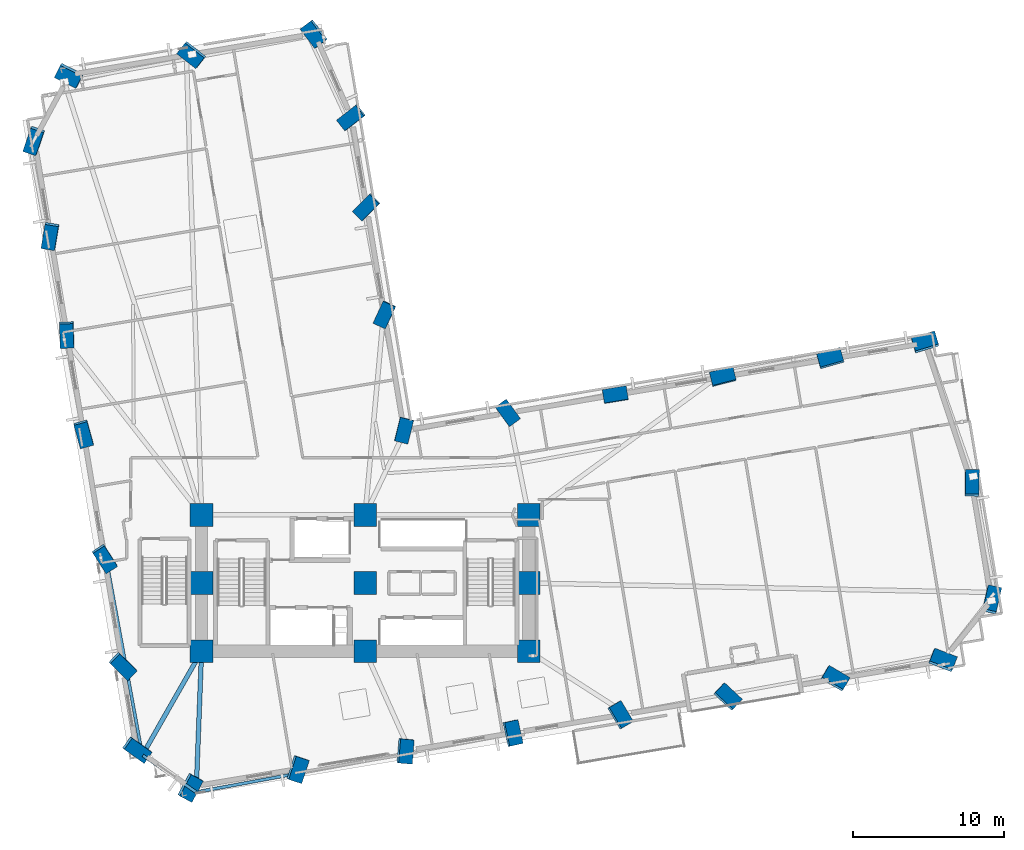
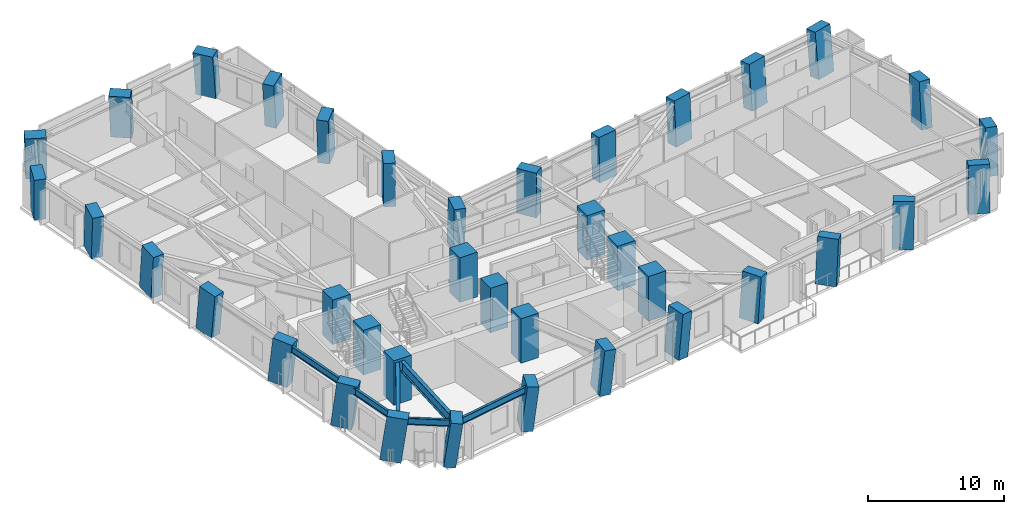
# One storey, part 1 of 16: 38 columns, 6 beams.
"""IFC4 building model written with IfcOpenShell, lengths in metres."""

from ifc_helpers import new_model, si_unit, direction, frame, origin, origin_2d, place, context, subcontext, project, spatial, rectangle, i_section, extrude, material, material_profile, profile_set, type_object, element, save


model = new_model("IFC4")

# Units and contexts
model_context = context("Model", 3, precision=1e-05, world=origin(), true_north=direction((0.0, 1.0)))
body_context = subcontext(model_context, "Body", "Model", "MODEL_VIEW")
ifc_project = project(units=[si_unit("LENGTHUNIT", "METRE"), si_unit("AREAUNIT", "SQUARE_METRE"), si_unit("VOLUMEUNIT", "CUBIC_METRE"), si_unit("PLANEANGLEUNIT", "RADIAN"), si_unit("MASSUNIT", "GRAM", prefix="KILO")], contexts=[model_context])

# Site, building, storey
site_placement = place(None, origin())
site = spatial("IfcSite", under=ifc_project, at=site_placement, CompositionType="ELEMENT")
building_placement = place(site_placement, origin())
building = spatial("IfcBuilding", under=site, at=building_placement, Name="Gaonmaruhae Medical Tower", CompositionType="ELEMENT")
storey_placement = place(building_placement, frame((0.0, 0.0, 63.0)))
storey = spatial("IfcBuildingStorey", under=building, at=storey_placement, Name="L14", CompositionType="ELEMENT", Elevation=63.0)

# Columns
ifc_material_1 = material(Name="Concrete C60/75", Category="concrete")
ifc_material_profile_1 = material_profile(ifc_material_1, rectangle(XDim=1.5, YDim=1.5, at=origin_2d()), Name="RC-1500x1500")
ifc_profile_set_1 = profile_set([ifc_material_profile_1], Name="Concrete C60/75")
column_type_1 = type_object("IfcColumnType", Name="CC-02 Zone 1 Core Column (RC-1500x1500)", PredefinedType="COLUMN", material=ifc_profile_set_1)
for number, where, z_axis, x_axis, name in (
    (1, (14.0, 7.800048828125, 0.0), (0.0, 0.0, 1.0), (1.0, 0.0, 0.0), "L14 Plumb Core Column CC11"),
    (2, (14.0, 12.300048828125, 0.0), (0.0, 0.0, 1.0), (1.0, 0.0, 0.0), "L14 Plumb Core Column CC12"),
    (3, (14.0, 16.800048828125, 0.0), (0.0, 0.0, 1.0), (1.0, 0.0, 0.0), "L14 Plumb Core Column CC13"),
    (4, (24.800048828125, 7.800048828125, 0.0), (0.0, 0.0, 1.0), (1.0, 0.0, 0.0), "L14 Plumb Core Column CC21"),
    (5, (24.800048828125, 12.300048828125, 0.0), (0.0, 0.0, 1.0), (1.0, 0.0, 0.0), "L14 Plumb Core Column CC22"),
    (6, (24.800048828125, 16.800048828125, 0.0), (0.0, 0.0, 1.0), (1.0, 0.0, 0.0), "L14 Plumb Core Column CC23"),
    (7, (35.60009765625, 7.800048828125, 0.0), (0.0, 0.0, 1.0), (1.0, 0.0, 0.0), "L14 Plumb Core Column CC31"),
    (8, (35.60009765625, 12.300048828125, 0.0), (0.0, 0.0, 1.0), (1.0, 0.0, 0.0), "L14 Plumb Core Column CC32"),
    (9, (35.60009765625, 16.800048828125, 0.0), (0.0, 0.0, 1.0), (1.0, 0.0, 0.0), "L14 Plumb Core Column CC33"),
):
    element("IfcColumn", number, at=place(storey_placement, frame(where, z_axis=z_axis, x_axis=x_axis)), inside=storey, type_object=column_type_1, Name=name, PredefinedType="COLUMN", context=body_context, shape_type="SweptSolid", body=[
        extrude(rectangle(XDim=1.5, YDim=1.5, at=origin_2d()), origin(), (0.0, 0.0, 1.0), 4.0),
    ])
ifc_material_profile_2 = material_profile(ifc_material_1, rectangle(XDim=1.60009765625, YDim=0.89990234375, at=origin_2d()), Name="RC-1600x900")
ifc_profile_set_2 = profile_set([ifc_material_profile_2], Name="Concrete C60/75")
column_type_2 = type_object("IfcColumnType", Name="TC-01 Lower Raking Tube Pier Column (RC-1600x900)", PredefinedType="COLUMN", material=ifc_profile_set_2)
column_1_placement = place(storey_placement, frame((13.20703125, -1.172119140625, 0.001708984375), z_axis=(0.107367730644, -0.082855931935, 0.990760851548), x_axis=(0.473103436146, 0.880722488675, 0.02238384797)))
element("IfcColumn", 10, at=column_1_placement, inside=storey, type_object=column_type_2, Name="L14 Perimeter Tube Column S01", PredefinedType="COLUMN", context=body_context, shape_type="SweptSolid", body=[
    extrude(rectangle(XDim=1.60009765625, YDim=0.89990234375, at=origin_2d()), origin(), (0.0, 0.0, 1.0), 4.033935546875),
])
column_2_placement = place(storey_placement, frame((20.308349609375, 0.01611328125, 0.001708984375), z_axis=(0.102482960612, -0.053820240416, 0.993277717713), x_axis=(0.313429699952, 0.949419198593, 0.019105196453)))
element("IfcColumn", 11, at=column_2_placement, inside=storey, type_object=column_type_2, Name="L14 Perimeter Tube Column S02", PredefinedType="COLUMN", context=body_context, shape_type="SweptSolid", body=[
    extrude(rectangle(XDim=1.60009765625, YDim=0.89990234375, at=origin_2d()), origin(), (0.0, 0.0, 1.0), 4.023681640625),
])
column_3_placement = place(storey_placement, frame((27.40966796875, 1.20458984375, 0.001708984375), z_axis=(0.097487270528, -0.024736483233, 0.994929313309), x_axis=(0.083406880372, 0.996377305283, 0.016599934461)))
element("IfcColumn", 12, at=column_3_placement, inside=storey, type_object=column_type_2, Name="L14 Perimeter Tube Column S03", PredefinedType="COLUMN", context=body_context, shape_type="SweptSolid", body=[
    extrude(rectangle(XDim=1.60009765625, YDim=0.89990234375, at=origin_2d()), origin(), (0.0, 0.0, 1.0), 4.016845703125),
])
column_4_placement = place(storey_placement, frame((34.510986328125, 2.39306640625, 0.001708984375), z_axis=(0.092393835474, 0.004501082176, 0.995712367818), x_axis=(-0.212136509063, 0.977120773498, 0.015267466098)))
element("IfcColumn", 13, at=column_4_placement, inside=storey, type_object=column_type_2, Name="L14 Perimeter Tube Column S04", PredefinedType="COLUMN", context=body_context, shape_type="SweptSolid", body=[
    extrude(rectangle(XDim=1.60009765625, YDim=0.89990234375, at=origin_2d()), origin(), (0.0, 0.0, 1.0), 4.013671875),
])
column_5_placement = place(storey_placement, frame((41.612060546875, 3.581298828125, 0.001708984375), z_axis=(0.087275535166, 0.033815468677, 0.995610111961), x_axis=(-0.509554828629, 0.860299502631, 0.015448054711)))
element("IfcColumn", 14, at=column_5_placement, inside=storey, type_object=column_type_2, Name="L14 Perimeter Tube Column S05", PredefinedType="COLUMN", context=body_context, shape_type="SweptSolid", body=[
    extrude(rectangle(XDim=1.60009765625, YDim=0.89990234375, at=origin_2d()), origin(), (0.0, 0.0, 1.0), 4.01416015625),
])
column_6_placement = place(storey_placement, frame((48.71337890625, 4.769775390625, 0.001708984375), z_axis=(0.082085964751, 0.063007509583, 0.994631564011), x_axis=(-0.730759238863, 0.682421599788, 0.01707907958)))
element("IfcColumn", 15, at=column_6_placement, inside=storey, type_object=column_type_2, Name="L14 Perimeter Tube Column S06", PredefinedType="COLUMN", context=body_context, shape_type="SweptSolid", body=[
    extrude(rectangle(XDim=1.60009765625, YDim=0.89990234375, at=origin_2d()), origin(), (0.0, 0.0, 1.0), 4.01806640625),
])
column_7_placement = place(storey_placement, frame((55.814697265625, 5.958251953125, 0.001708984375), z_axis=(0.076778901865, 0.092061906028, 0.992788802156), x_axis=(-0.862388009192, 0.505861109225, 0.019785342446)))
element("IfcColumn", 16, at=column_7_placement, inside=storey, type_object=column_type_2, Name="L14 Perimeter Tube Column S07", PredefinedType="COLUMN", context=body_context, shape_type="SweptSolid", body=[
    extrude(rectangle(XDim=1.60009765625, YDim=0.89990234375, at=origin_2d()), origin(), (0.0, 0.0, 1.0), 4.025634765625),
])
column_8_placement = place(storey_placement, frame((62.915771484375, 7.146484375, 0.001708984375), z_axis=(0.071489462254, 0.120903075335, 0.990086714971), x_axis=(-0.932148157714, 0.361334193252, 0.023182166775)))
element("IfcColumn", 17, at=column_8_placement, inside=storey, type_object=column_type_2, Name="L14 Perimeter Tube Column S08", PredefinedType="COLUMN", context=body_context, shape_type="SweptSolid", body=[
    extrude(rectangle(XDim=1.60009765625, YDim=0.89990234375, at=origin_2d()), origin(), (0.0, 0.0, 1.0), 4.03662109375),
])
column_9_placement = place(storey_placement, frame((66.15185546875, 11.135498046875, 0.001708984375), z_axis=(0.05494339696, 0.133943418772, 0.989464695529), x_axis=(-0.217662389184, -0.965522875394, 0.142788870106)))
element("IfcColumn", 18, at=column_9_placement, inside=storey, type_object=column_type_2, Name="L14 Perimeter Tube Column E01", PredefinedType="COLUMN", context=body_context, shape_type="SweptSolid", body=[
    extrude(rectangle(XDim=1.60009765625, YDim=0.89990234375, at=origin_2d()), origin(), (0.0, 0.0, 1.0), 4.0390625),
])
column_10_placement = place(storey_placement, frame((64.864501953125, 18.828369140625, 0.001708984375), z_axis=(0.023437665481, 0.128695191593, 0.991407193588), x_axis=(-0.012818132677, -0.991559406164, 0.129017981395)))
element("IfcColumn", 19, at=column_10_placement, inside=storey, type_object=column_type_2, Name="L14 Perimeter Tube Column E02", PredefinedType="COLUMN", context=body_context, shape_type="SweptSolid", body=[
    extrude(rectangle(XDim=1.60009765625, YDim=0.89990234375, at=origin_2d()), origin(), (0.0, 0.0, 1.0), 4.03125),
])
column_11_placement = place(storey_placement, frame((61.783935546875, 28.147705078125, 0.001708984375), z_axis=(-0.01474250043, 0.115937935478, 0.993147045406), x_axis=(-0.957730345813, -0.287020043353, 0.019289360343)))
element("IfcColumn", 20, at=column_11_placement, inside=storey, type_object=column_type_2, Name="L14 Perimeter Tube Column E03", PredefinedType="COLUMN", context=body_context, shape_type="SweptSolid", body=[
    extrude(rectangle(XDim=1.60009765625, YDim=0.89990234375, at=origin_2d()), origin(), (0.0, 0.0, 1.0), 4.024169921875),
])
column_12_placement = place(storey_placement, frame((55.52099609375, 27.099609375, 0.001708984375), z_axis=(-0.010220061656, 0.090459712398, 0.995847674483), x_axis=(-0.961598490358, -0.274048514704, 0.015025143249)))
element("IfcColumn", 21, at=column_12_placement, inside=storey, type_object=column_type_2, Name="L14 Perimeter Tube Column EN01", PredefinedType="COLUMN", context=body_context, shape_type="SweptSolid", body=[
    extrude(rectangle(XDim=1.60009765625, YDim=0.89990234375, at=origin_2d()), origin(), (0.0, 0.0, 1.0), 4.01318359375),
])
column_13_placement = place(storey_placement, frame((48.419921875, 25.911376953125, 0.001708984375), z_axis=(-0.005121627691, 0.061276617016, 0.998107682135), x_axis=(-0.969137393668, -0.246312227806, 0.010148823939)))
element("IfcColumn", 22, at=column_13_placement, inside=storey, type_object=column_type_2, Name="L14 Perimeter Tube Column EN02", PredefinedType="COLUMN", context=body_context, shape_type="SweptSolid", body=[
    extrude(rectangle(XDim=1.60009765625, YDim=0.89990234375, at=origin_2d()), origin(), (0.0, 0.0, 1.0), 4.004150390625),
])
column_14_placement = place(storey_placement, frame((41.318603515625, 24.722900390625, 0.001708984375), z_axis=(6.1056083e-05, 0.031993387491, 0.999488078683), x_axis=(-0.986598620057, -0.163080593075, 0.005280441624)))
element("IfcColumn", 23, at=column_14_placement, inside=storey, type_object=column_type_2, Name="L14 Perimeter Tube Column EN03", PredefinedType="COLUMN", context=body_context, shape_type="SweptSolid", body=[
    extrude(rectangle(XDim=1.60009765625, YDim=0.89990234375, at=origin_2d()), origin(), (0.0, 0.0, 1.0), 3.99853515625),
])
column_15_placement = place(storey_placement, frame((34.21728515625, 23.534423828125, 0.001708984375), z_axis=(0.005253421904, 0.002626710952, 0.999982750825), x_axis=(-0.588700850168, 0.808350400049, 0.000969407814)))
element("IfcColumn", 24, at=column_15_placement, inside=storey, type_object=column_type_2, Name="L14 Perimeter Tube Column EN04", PredefinedType="COLUMN", context=body_context, shape_type="SweptSolid", body=[
    extrude(rectangle(XDim=1.60009765625, YDim=0.89990234375, at=origin_2d()), origin(), (0.0, 0.0, 1.0), 3.99658203125),
])
column_16_placement = place(storey_placement, frame((27.362548828125, 22.387451171875, 0.001708984375), z_axis=(0.010258727431, -0.025768946284, 0.999615285957), x_axis=(0.238518577535, 0.970875389317, 0.022580225612)))
element("IfcColumn", 25, at=column_16_placement, inside=storey, type_object=column_type_2, Name="L14 Perimeter Tube Column KN01", PredefinedType="COLUMN", context=body_context, shape_type="SweptSolid", body=[
    extrude(rectangle(XDim=1.60009765625, YDim=0.89990234375, at=origin_2d()), origin(), (0.0, 0.0, 1.0), 3.998046875),
])
column_17_placement = place(storey_placement, frame((26.08349609375, 30.031005859375, 0.001708984375), z_axis=(-0.021426220941, -0.03131524599, 0.999279876924), x_axis=(0.42032356273, 0.906602224927, 0.037423366641)))
element("IfcColumn", 26, at=column_17_placement, inside=storey, type_object=column_type_2, Name="L14 Perimeter Tube Column NE01", PredefinedType="COLUMN", context=body_context, shape_type="SweptSolid", body=[
    extrude(rectangle(XDim=1.60009765625, YDim=0.89990234375, at=origin_2d()), origin(), (0.0, 0.0, 1.0), 3.99951171875),
])
column_18_placement = place(storey_placement, frame((24.89501953125, 37.13232421875, 0.001708984375), z_axis=(-0.050725527972, -0.036398005047, 0.998049150113), x_axis=(0.703550558239, 0.707972386079, 0.061576883259)))
element("IfcColumn", 27, at=column_18_placement, inside=storey, type_object=column_type_2, Name="L14 Perimeter Tube Column NE02", PredefinedType="COLUMN", context=body_context, shape_type="SweptSolid", body=[
    extrude(rectangle(XDim=1.60009765625, YDim=0.89990234375, at=origin_2d()), origin(), (0.0, 0.0, 1.0), 4.00439453125),
])
column_19_placement = place(storey_placement, frame((23.90478515625, 43.050048828125, 0.001708984375), z_axis=(-0.075045854901, -0.040657446126, 0.996350887859), x_axis=(0.785410921384, 0.613223631636, 0.084181127184)))
element("IfcColumn", 28, at=column_19_placement, inside=storey, type_object=column_type_2, Name="L14 Perimeter Tube Column NE03", PredefinedType="COLUMN", context=body_context, shape_type="SweptSolid", body=[
    extrude(rectangle(XDim=1.60009765625, YDim=0.89990234375, at=origin_2d()), origin(), (0.0, 0.0, 1.0), 4.01123046875),
])
column_20_placement = place(storey_placement, frame((21.459716796875, 48.572265625, 0.001708984375), z_axis=(-0.09751137938, -0.050820065094, 0.993936040133), x_axis=(0.601306574256, -0.79881226347, 0.018148594608)))
element("IfcColumn", 29, at=column_20_placement, inside=storey, type_object=column_type_2, Name="L14 Perimeter Tube Column N01", PredefinedType="COLUMN", context=body_context, shape_type="SweptSolid", body=[
    extrude(rectangle(XDim=1.60009765625, YDim=0.89990234375, at=origin_2d()), origin(), (0.0, 0.0, 1.0), 4.02099609375),
])
column_21_placement = place(storey_placement, frame((13.372314453125, 47.21875, 0.001708984375), z_axis=(-0.091527721681, -0.083950923529, 0.99225748604), x_axis=(0.78736575955, -0.616145251126, 0.020498541485)))
element("IfcColumn", 30, at=column_21_placement, inside=storey, type_object=column_type_2, Name="L14 Perimeter Tube Column N02", PredefinedType="COLUMN", context=body_context, shape_type="SweptSolid", body=[
    extrude(rectangle(XDim=1.60009765625, YDim=0.89990234375, at=origin_2d()), origin(), (0.0, 0.0, 1.0), 4.02783203125),
])
column_22_placement = place(storey_placement, frame((5.28466796875, 45.865234375, 0.001708984375), z_axis=(-0.085407667791, -0.116838656645, 0.989471706819), x_axis=(0.892609593077, -0.450197220598, 0.023886751839)))
element("IfcColumn", 31, at=column_22_placement, inside=storey, type_object=column_type_2, Name="L14 Perimeter Tube Column N03", PredefinedType="COLUMN", context=body_context, shape_type="SweptSolid", body=[
    extrude(rectangle(XDim=1.60009765625, YDim=0.89990234375, at=origin_2d()), origin(), (0.0, 0.0, 1.0), 4.0390625),
])
column_23_placement = place(storey_placement, frame((2.96142578125, 41.572998046875, 0.001708984375), z_axis=(-0.06777240471, -0.126234416622, 0.989682662887), x_axis=(0.316301268917, 0.938074881883, 0.141311794492)))
element("IfcColumn", 32, at=column_23_placement, inside=storey, type_object=column_type_2, Name="L14 Perimeter Tube Column W01", PredefinedType="COLUMN", context=body_context, shape_type="SweptSolid", body=[
    extrude(rectangle(XDim=1.60009765625, YDim=0.89990234375, at=origin_2d()), origin(), (0.0, 0.0, 1.0), 4.038330078125),
])
column_24_placement = place(storey_placement, frame((4.017578125, 35.2607421875, 0.001708984375), z_axis=(-0.041980011788, -0.121941939002, 0.991649051894), x_axis=(0.162308949198, 0.97850739341, 0.12719703633)))
element("IfcColumn", 33, at=column_24_placement, inside=storey, type_object=column_type_2, Name="L14 Perimeter Tube Column W02", PredefinedType="COLUMN", context=body_context, shape_type="SweptSolid", body=[
    extrude(rectangle(XDim=1.60009765625, YDim=0.89990234375, at=origin_2d()), origin(), (0.0, 0.0, 1.0), 4.0302734375),
])
column_25_placement = place(storey_placement, frame((5.10693359375, 28.751220703125, 0.001708984375), z_axis=(-0.015285797262, -0.11737308612, 0.992970242785), x_axis=(-0.03719000177, 0.99246584417, 0.116740960783)))
element("IfcColumn", 34, at=column_25_placement, inside=storey, type_object=column_type_2, Name="L14 Perimeter Tube Column W03", PredefinedType="COLUMN", context=body_context, shape_type="SweptSolid", body=[
    extrude(rectangle(XDim=1.60009765625, YDim=0.89990234375, at=origin_2d()), origin(), (0.0, 0.0, 1.0), 4.02490234375),
])
column_26_placement = place(storey_placement, frame((6.20458984375, 22.1923828125, 0.001708984375), z_axis=(0.011713921477, -0.112708560528, 0.993559039226), x_axis=(-0.265463218186, 0.957621337914, 0.111761589836)))
element("IfcColumn", 35, at=column_26_placement, inside=storey, type_object=column_type_2, Name="L14 Perimeter Tube Column W04", PredefinedType="COLUMN", context=body_context, shape_type="SweptSolid", body=[
    extrude(rectangle(XDim=1.60009765625, YDim=0.89990234375, at=origin_2d()), origin(), (0.0, 0.0, 1.0), 4.0224609375),
])
column_27_placement = place(storey_placement, frame((7.582763671875, 13.95703125, 0.001708984375), z_axis=(0.045566648584, -0.106726677575, 0.993243724788), x_axis=(-0.536447132256, 0.836136603169, 0.114455472285)))
element("IfcColumn", 36, at=column_27_placement, inside=storey, type_object=column_type_2, Name="L14 Perimeter Tube Column W05", PredefinedType="COLUMN", context=body_context, shape_type="SweptSolid", body=[
    extrude(rectangle(XDim=1.60009765625, YDim=0.89990234375, at=origin_2d()), origin(), (0.0, 0.0, 1.0), 4.023681640625),
])
column_28_placement = place(storey_placement, frame((8.771240234375, 6.855712890625, 0.001708984375), z_axis=(0.074599959004, -0.101446248068, 0.99204007221), x_axis=(-0.712617722473, 0.690471888426, 0.124195623555)))
element("IfcColumn", 37, at=column_28_placement, inside=storey, type_object=column_type_2, Name="L14 Perimeter Tube Column W06", PredefinedType="COLUMN", context=body_context, shape_type="SweptSolid", body=[
    extrude(rectangle(XDim=1.60009765625, YDim=0.89990234375, at=origin_2d()), origin(), (0.0, 0.0, 1.0), 4.028564453125),
])
column_29_placement = place(storey_placement, frame((9.695556640625, 1.33251953125, 0.001708984375), z_axis=(0.097174308179, -0.097295322261, 0.990500264561), x_axis=(-0.80713292315, 0.574580124303, 0.13562494285)))
element("IfcColumn", 38, at=column_29_placement, inside=storey, type_object=column_type_2, Name="L14 Perimeter Tube Column W07", PredefinedType="COLUMN", context=body_context, shape_type="SweptSolid", body=[
    extrude(rectangle(XDim=1.60009765625, YDim=0.89990234375, at=origin_2d()), origin(), (0.0, 0.0, 1.0), 4.034912109375),
])

# Beams
ifc_material_2 = material(Name="Steel SM420", Category="steel")
ifc_material_profile_3 = material_profile(ifc_material_2, i_section(OverallWidth=0.300048828125, OverallDepth=0.89990234375, WebThickness=0.01611328125, FlangeThickness=0.028076171875, FilletRadius=0.01806640625, at=origin_2d()), Name="H-900x300x16x28")
ifc_profile_set_3 = profile_set([ifc_material_profile_3], Name="Steel SM420")
beam_type_1 = type_object("IfcBeamType", Name="PG-01 Zone 1 Radial Floor Girder (H-900x300x16x28)", PredefinedType="BEAM", material=ifc_profile_set_3)
beam_1_placement = place(storey_placement, frame((13.998046875, 7.75, 3.330078125), z_axis=(-0.038608159646, -0.999254427065, 0.0), x_axis=(0.999254427065, -0.038608159646, 0.0)))
element("IfcBeam", 39, at=beam_1_placement, inside=storey, type_object=beam_type_1, Name="L14 Radial Primary Girder S01", PredefinedType="BEAM", context=body_context, shape_type="SweptSolid", body=[
    extrude(i_section(OverallWidth=0.300048828125, OverallDepth=0.89990234375, WebThickness=0.01611328125, FlangeThickness=0.028076171875, FilletRadius=0.01806640625, at=origin_2d()), origin(), (0.0, 0.0, 1.0), 9.21337890625),
])
beam_2_placement = place(storey_placement, frame((13.975341796875, 7.756591796875, 3.330078125), z_axis=(-0.495390199015, -0.868670565128, 0.0), x_axis=(0.868670565128, -0.495390199015, 0.0)))
element("IfcBeam", 40, at=beam_2_placement, inside=storey, type_object=beam_type_1, Name="L14 Radial Primary Girder W07", PredefinedType="BEAM", context=body_context, shape_type="SweptSolid", body=[
    extrude(i_section(OverallWidth=0.300048828125, OverallDepth=0.89990234375, WebThickness=0.01611328125, FlangeThickness=0.028076171875, FilletRadius=0.01806640625, at=origin_2d()), origin(), (0.0, 0.0, 1.0), 7.79736328125),
])
ifc_material_3 = material(Name="Steel SM355", Category="steel")
ifc_material_profile_4 = material_profile(ifc_material_3, i_section(OverallWidth=0.199951171875, OverallDepth=0.60009765625, WebThickness=0.010986328125, FlangeThickness=0.01708984375, FilletRadius=0.012939453125, at=origin_2d()), Name="H-600x200x11x17")
ifc_profile_set_4 = profile_set([ifc_material_profile_4], Name="Steel SM355")
beam_type_2 = type_object("IfcBeamType", Name="SP-01 Lower Perimeter Spandrel Beam (H-600x200x11x17)", PredefinedType="SPANDREL", material=ifc_profile_set_4)
for number, where, z_axis, x_axis, name in (
    (41, (13.6796875, -1.499267578125, 3.47998046875), (0.983417479222, 0.181356173208, 0.0), (-0.181356173208, 0.983417479222, 0.0), "L14 Perimeter Spandrel Beam S01-S02"),
    (42, (7.7734375, 13.488037109375, 3.47998046875), (0.181356173208, -0.983417479222, 0.0), (0.983417479222, 0.181356173208, 0.0), "L14 Perimeter Spandrel Beam W05-W06"),
):
    element("IfcBeam", number, at=place(storey_placement, frame(where, z_axis=z_axis, x_axis=x_axis)), inside=storey, type_object=beam_type_2, Name=name, PredefinedType="SPANDREL", context=body_context, shape_type="SweptSolid", body=[
        extrude(i_section(OverallWidth=0.199951171875, OverallDepth=0.60009765625, WebThickness=0.010986328125, FlangeThickness=0.01708984375, FilletRadius=0.012939453125, at=origin_2d()), origin(), (0.0, 0.0, 1.0), 7.1201171875),
    ])
beam_3_placement = place(storey_placement, frame((9.079345703125, 6.407470703125, 3.47998046875), z_axis=(0.181379685155, -0.983413142994, 0.0), x_axis=(0.983413142994, 0.181379685155, 0.0)))
element("IfcBeam", 43, at=beam_3_placement, inside=storey, type_object=beam_type_2, Name="L14 Perimeter Spandrel Beam W06-W07", PredefinedType="SPANDREL", context=body_context, shape_type="SweptSolid", body=[
    extrude(i_section(OverallWidth=0.199951171875, OverallDepth=0.60009765625, WebThickness=0.010986328125, FlangeThickness=0.01708984375, FilletRadius=0.012939453125, at=origin_2d()), origin(), (0.0, 0.0, 1.0), 5.52001953125),
])
beam_4_placement = place(storey_placement, frame((10.12060546875, 0.9169921875, 3.47998046875), z_axis=(0.823634507177, -0.567120973504, 0.0), x_axis=(0.567120973504, 0.823634507177, 0.0)))
element("IfcBeam", 44, at=beam_4_placement, inside=storey, type_object=beam_type_2, Name="L14 Perimeter Spandrel Beam W07-S01", PredefinedType="SPANDREL", context=body_context, shape_type="SweptSolid", body=[
    extrude(i_section(OverallWidth=0.199951171875, OverallDepth=0.60009765625, WebThickness=0.010986328125, FlangeThickness=0.01708984375, FilletRadius=0.012939453125, at=origin_2d()), origin(), (0.0, 0.0, 1.0), 4.2333984375),
])

save(model, "model.ifc")
